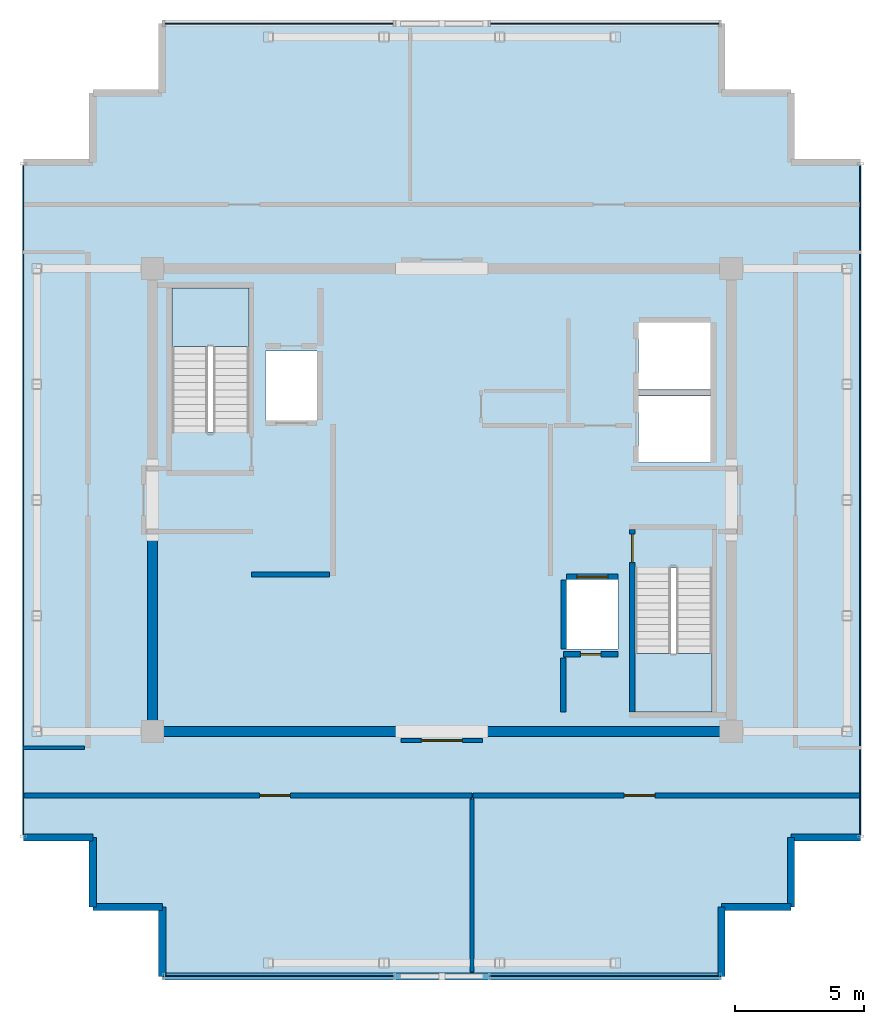
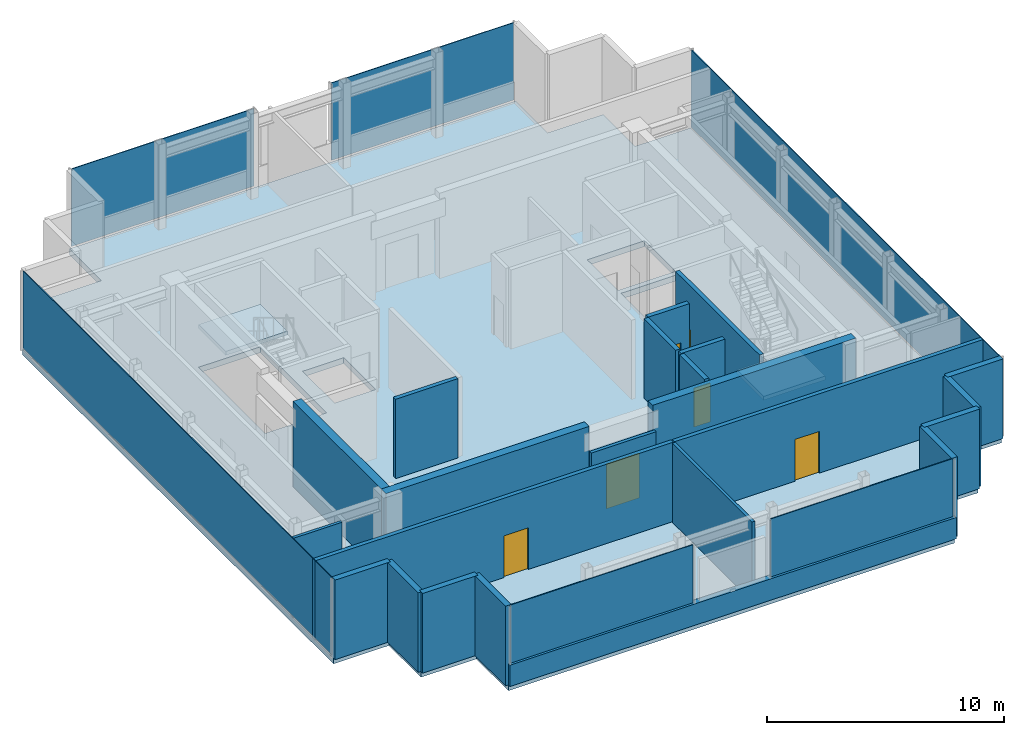
# One storey, part 11 of 14: 23 walls, 6 doors, 6 plates, 3 slabs, 6 openings, 8 elements without a shape of their own.
"""IFC4 building model written with IfcOpenShell, lengths in metres."""

from ifc_helpers import new_model, si_unit, direction, frame, frame_2d, origin, origin_2d, place, context, subcontext, project, spatial, polyline, rectangle, outline, extrude, source, transform, mapped, material, layer, layer_set, type_object, element, fill, aggregate, save


model = new_model("IFC4")

# Units and contexts
model_context = context("Model", 3, precision=1e-05, world=origin(), true_north=direction((0.0, 1.0)))
body_context = subcontext(model_context, "Body", "Model", "MODEL_VIEW")
ifc_project = project(units=[si_unit("LENGTHUNIT", "METRE"), si_unit("AREAUNIT", "SQUARE_METRE"), si_unit("VOLUMEUNIT", "CUBIC_METRE"), si_unit("PLANEANGLEUNIT", "RADIAN"), si_unit("MASSUNIT", "GRAM", prefix="KILO")], contexts=[model_context])

# Site, building, storey
site_placement = place(None, origin())
site = spatial("IfcSite", under=ifc_project, at=site_placement, CompositionType="ELEMENT")
building_placement = place(site_placement, origin())
building = spatial("IfcBuilding", under=site, at=building_placement, Name="Nefas-Gora Pilgrimage Tower", CompositionType="ELEMENT")
storey_placement = place(building_placement, frame((0.0, 0.0, 363.0)))
storey = spatial("IfcBuildingStorey", under=building, at=storey_placement, Name="L91", CompositionType="ELEMENT", Elevation=363.0)

# Slab
ifc_material_1 = material(Name="Concrete C45/55", Category="concrete")
ifc_layer_1 = layer(ifc_material_1, 0.300048828125)
ifc_layer_set_1 = layer_set([ifc_layer_1], Name="Concrete C45/55")
slab_type_1 = type_object("IfcSlabType", Name="SLB-SPEC-300", PredefinedType="FLOOR", material=ifc_layer_set_1)
slab_1_placement = place(storey_placement, frame((0.0, 0.0, -0.300048828125)))
element("IfcSlab", 1, at=slab_1_placement, inside=storey, type_object=slab_type_1, Name="L91 Structural Floor Slab", PredefinedType="FLOOR", context=body_context, shape_type="SweptSolid", body=[
    extrude(outline(polyline([(16.27001953125, 13.1201171875), (13.570068359375, 13.1201171875), (13.570068359375, 15.820068359375), (10.8701171875, 15.820068359375), (10.8701171875, 18.52001953125), (-10.8701171875, 18.52001953125), (-10.8701171875, 15.820068359375), (-13.570068359375, 15.820068359375), (-13.570068359375, 13.1201171875), (-16.27001953125, 13.1201171875), (-16.27001953125, -13.1201171875), (-13.570068359375, -13.1201171875), (-13.570068359375, -15.820068359375), (-10.8701171875, -15.820068359375), (-10.8701171875, -18.52001953125), (10.8701171875, -18.52001953125), (10.8701171875, -15.820068359375), (13.570068359375, -15.820068359375), (13.570068359375, -13.1201171875), (16.27001953125, -13.1201171875), (16.27001953125, 13.1201171875)]), holes=[polyline([(-10.5, 2.639892578125), (-10.5, 8.25), (-7.5, 8.25), (-7.5, 2.639892578125), (-10.5, 2.639892578125)]), polyline([(10.5, -2.639892578125), (10.5, -8.25), (7.5, -8.25), (7.5, -2.639892578125), (10.5, -2.639892578125)]), polyline([(-6.85009765625, 5.800048828125), (-4.85009765625, 5.800048828125), (-4.85009765625, 3.10009765625), (-6.85009765625, 3.10009765625), (-6.85009765625, 5.800048828125)]), polyline([(4.85009765625, -3.10009765625), (6.85009765625, -3.10009765625), (6.85009765625, -5.800048828125), (4.85009765625, -5.800048828125), (4.85009765625, -3.10009765625)]), polyline([(7.64990234375, 4.050048828125), (10.449951171875, 4.050048828125), (10.449951171875, 1.449951171875), (7.64990234375, 1.449951171875), (7.64990234375, 4.050048828125)]), polyline([(7.64990234375, 6.89990234375), (10.449951171875, 6.89990234375), (10.449951171875, 4.300048828125), (7.64990234375, 4.300048828125), (7.64990234375, 6.89990234375)])]), origin(), (0.0, 0.0, 1.0), 0.300048828125),
])

# Stair, slab
stair_type = type_object("IfcStairType", Name="STR-1400-R1692", PredefinedType="HALF_TURN_STAIR", material=ifc_material_1)
stair_1_placement = place(storey_placement, origin())
stair_1 = element("IfcStair", 2, at=stair_1_placement, inside=storey, type_object=stair_type, Name="L91 Pressurised Tower Exit Stair ST-01", PredefinedType="HALF_TURN_STAIR")
ifc_material_2 = material(Name="Concrete C40/50", Category="concrete")
ifc_layer_2 = layer(ifc_material_2, 0.199951171875)
ifc_layer_set_2 = layer_set([ifc_layer_2], Name="Concrete C40/50")
slab_type_2 = type_object("IfcSlabType", Name="STR-LAND-200", PredefinedType="LANDING", material=ifc_layer_set_2)
slab_2_placement = place(storey_placement, frame((0.0, 0.0, 2.0)))
slab_2 = element("IfcSlab", 3, at=slab_2_placement, type_object=slab_type_2, Name="ST-01 landing 1", PredefinedType="LANDING", context=body_context, shape_type="SweptSolid", body=[
    extrude(outline(polyline([(-7.5, 5.9599609375), (-7.5, 8.25), (-10.5, 8.25), (-10.5, 5.9599609375), (-7.5, 5.9599609375)])), origin(), (0.0, 0.0, 1.0), 0.199951171875),
])
aggregate(stair_1, [slab_2])

stair_2_placement = place(storey_placement, origin())
stair_2 = element("IfcStair", 4, at=stair_2_placement, inside=storey, type_object=stair_type, Name="L91 Pressurised Tower Exit Stair ST-02", PredefinedType="HALF_TURN_STAIR")
slab_3_placement = place(storey_placement, frame((0.0, 0.0, 2.0)))
slab_3 = element("IfcSlab", 5, at=slab_3_placement, type_object=slab_type_2, Name="ST-02 landing 1", PredefinedType="LANDING", context=body_context, shape_type="SweptSolid", body=[
    extrude(outline(polyline([(7.5, -5.9599609375), (7.5, -8.25), (10.5, -8.25), (10.5, -5.9599609375), (7.5, -5.9599609375)])), origin(), (0.0, 0.0, 1.0), 0.199951171875),
])
aggregate(stair_2, [slab_3])

# Curtain wall, plate
ifc_material_3 = material(Name="Dark ceramic-fritted solar-control aluminium-glass curtain wall", Category="aluminium")
ifc_layer_3 = layer(ifc_material_3, 0.219970703125)
ifc_layer_set_3 = layer_set([ifc_layer_3], Name="Dark ceramic-fritted solar-control aluminium-glass curtain wall")
curtain_wall_type = type_object("IfcCurtainWallType", Name="CW-SYS-6", PredefinedType="NOTDEFINED", material=ifc_layer_set_3)
curtain_wall_1_placement = place(storey_placement, origin())
curtain_wall_1 = element("IfcCurtainWall", 6, at=curtain_wall_1_placement, inside=storey, type_object=curtain_wall_type, Name="L91 Unitised Curtain Wall CW6", PredefinedType="NOTDEFINED")
ifc_material_4 = material(Name="Dark ceramic-printed low-e insulated glass", Category="glass")
ifc_layer_4 = layer(ifc_material_4, 0.0400390625)
ifc_layer_set_4 = layer_set([ifc_layer_4], Name="Dark ceramic-printed low-e insulated glass")
plate_type = type_object("IfcPlateType", Name="CWP-PNL-6", PredefinedType="CURTAIN_PANEL", material=ifc_layer_set_4)
shared_shape_1 = source(origin(), body_context, "Body", "SweptSolid", [
    extrude(rectangle(XDim=8.889892578125, YDim=0.0400390625, at=origin_2d()), origin(), (0.0, 0.0, 1.0), 3.989990234375),
])
plate_1_placement = place(storey_placement, frame((6.3349609375, 18.52001953125, 0.10009765625), z_axis=(0.0, 0.0, 1.0), x_axis=(-1.0, 0.0, 0.0)))
plate_1 = element("IfcPlate", 7, at=plate_1_placement, type_object=plate_type, Name="CW6 Ceramic-Fritted Glazing Panel 1", PredefinedType="CURTAIN_PANEL", context=body_context, shape_type="MappedRepresentation", body=[
    mapped(shared_shape_1, transform((0.0, 0.0, 0.0), x_axis=(1.0, 0.0, 0.0), y_axis=(0.0, 1.0, 0.0), z_axis=(0.0, 0.0, 1.0), scale=1.0)),
])
aggregate(curtain_wall_1, [plate_1])

curtain_wall_2_placement = place(storey_placement, origin())
curtain_wall_2 = element("IfcCurtainWall", 8, at=curtain_wall_2_placement, inside=storey, type_object=curtain_wall_type, Name="L91 Unitised Curtain Wall CW6", PredefinedType="NOTDEFINED")
plate_2_placement = place(storey_placement, frame((-6.3349609375, 18.52001953125, 0.10009765625), z_axis=(0.0, 0.0, 1.0), x_axis=(-1.0, 0.0, 0.0)))
plate_2 = element("IfcPlate", 9, at=plate_2_placement, type_object=plate_type, Name="CW6 Ceramic-Fritted Glazing Panel 1", PredefinedType="CURTAIN_PANEL", context=body_context, shape_type="MappedRepresentation", body=[
    mapped(shared_shape_1, transform((0.0, 0.0, 0.0), x_axis=(1.0, 0.0, 0.0), y_axis=(0.0, 1.0, 0.0), z_axis=(0.0, 0.0, 1.0), scale=1.0)),
])
aggregate(curtain_wall_2, [plate_2])

curtain_wall_3_placement = place(storey_placement, origin())
curtain_wall_3 = element("IfcCurtainWall", 10, at=curtain_wall_3_placement, inside=storey, type_object=curtain_wall_type, Name="L91 Unitised Curtain Wall CW6", PredefinedType="NOTDEFINED")
plate_3_placement = place(storey_placement, frame((-6.3349609375, -18.52001953125, 0.10009765625), z_axis=(0.0, 0.0, 1.0), x_axis=(1.0, 0.0, 0.0)))
plate_3 = element("IfcPlate", 11, at=plate_3_placement, type_object=plate_type, Name="CW6 Ceramic-Fritted Glazing Panel 1", PredefinedType="CURTAIN_PANEL", context=body_context, shape_type="MappedRepresentation", body=[
    mapped(shared_shape_1, transform((0.0, 0.0, 0.0), x_axis=(1.0, 0.0, 0.0), y_axis=(0.0, 1.0, 0.0), z_axis=(0.0, 0.0, 1.0), scale=1.0)),
])
aggregate(curtain_wall_3, [plate_3])

curtain_wall_4_placement = place(storey_placement, origin())
curtain_wall_4 = element("IfcCurtainWall", 12, at=curtain_wall_4_placement, inside=storey, type_object=curtain_wall_type, Name="L91 Unitised Curtain Wall CW6", PredefinedType="NOTDEFINED")
plate_4_placement = place(storey_placement, frame((6.3349609375, -18.52001953125, 0.10009765625), z_axis=(0.0, 0.0, 1.0), x_axis=(1.0, 0.0, 0.0)))
plate_4 = element("IfcPlate", 13, at=plate_4_placement, type_object=plate_type, Name="CW6 Ceramic-Fritted Glazing Panel 1", PredefinedType="CURTAIN_PANEL", context=body_context, shape_type="MappedRepresentation", body=[
    mapped(shared_shape_1, transform((0.0, 0.0, 0.0), x_axis=(1.0, 0.0, 0.0), y_axis=(0.0, 1.0, 0.0), z_axis=(0.0, 0.0, 1.0), scale=1.0)),
])
aggregate(curtain_wall_4, [plate_4])

curtain_wall_5_placement = place(storey_placement, origin())
curtain_wall_5 = element("IfcCurtainWall", 14, at=curtain_wall_5_placement, inside=storey, type_object=curtain_wall_type, Name="L91 Unitised Curtain Wall CW6", PredefinedType="NOTDEFINED")
shared_shape_2 = source(origin(), body_context, "Body", "SweptSolid", [
    extrude(rectangle(XDim=26.06005859375, YDim=0.0400390625, at=origin_2d()), origin(), (0.0, 0.0, 1.0), 3.989990234375),
])
plate_5_placement = place(storey_placement, frame((-16.27001953125, 0.0, 0.10009765625), z_axis=(0.0, 0.0, 1.0), x_axis=(0.0, -1.0, 0.0)))
plate_5 = element("IfcPlate", 15, at=plate_5_placement, type_object=plate_type, Name="CW6 Ceramic-Fritted Glazing Panel 1", PredefinedType="CURTAIN_PANEL", context=body_context, shape_type="MappedRepresentation", body=[
    mapped(shared_shape_2, transform((0.0, 0.0, 0.0), x_axis=(1.0, 0.0, 0.0), y_axis=(0.0, 1.0, 0.0), z_axis=(0.0, 0.0, 1.0), scale=1.0)),
])
aggregate(curtain_wall_5, [plate_5])

curtain_wall_6_placement = place(storey_placement, origin())
curtain_wall_6 = element("IfcCurtainWall", 16, at=curtain_wall_6_placement, inside=storey, type_object=curtain_wall_type, Name="L91 Unitised Curtain Wall CW6", PredefinedType="NOTDEFINED")
plate_6_placement = place(storey_placement, frame((16.27001953125, 0.0, 0.10009765625), z_axis=(0.0, 0.0, 1.0), x_axis=(0.0, 1.0, 0.0)))
plate_6 = element("IfcPlate", 17, at=plate_6_placement, type_object=plate_type, Name="CW6 Ceramic-Fritted Glazing Panel 1", PredefinedType="CURTAIN_PANEL", context=body_context, shape_type="MappedRepresentation", body=[
    mapped(shared_shape_2, transform((0.0, 0.0, 0.0), x_axis=(1.0, 0.0, 0.0), y_axis=(0.0, 1.0, 0.0), z_axis=(0.0, 0.0, 1.0), scale=1.0)),
])
aggregate(curtain_wall_6, [plate_6])

# Walls
ifc_material_5 = material(Name="Concrete C50/60", Category="concrete")
ifc_layer_5 = layer(ifc_material_5, 0.39990234375)
ifc_layer_set_5 = layer_set([ifc_layer_5], Name="Concrete C50/60")
wall_type_1 = type_object("IfcWallType", Name="SW-CORE-400", PredefinedType="SHEAR", material=ifc_layer_set_5)
shared_shape_3 = source(origin(), body_context, "Body", "SweptSolid", [
    extrude(rectangle(XDim=9.89990234375, YDim=0.39990234375, at=frame_2d((4.949951171875, 0.0))), origin(), (0.0, 0.0, 1.0), 4.39990234375),
])
for number, where, z_axis, x_axis, name in (
    (18, (-11.449951171875, -9.0, 0.0), (0.0, 0.0, 1.0), (1.0, 0.0, 0.0), "L91 Core Shear Wall S-West"),
    (19, (1.550048828125, -9.0, 0.0), (0.0, 0.0, 1.0), (1.0, 0.0, 0.0), "L91 Core Shear Wall S-East"),
):
    element("IfcWall", number, at=place(storey_placement, frame(where, z_axis=z_axis, x_axis=x_axis)), inside=storey, type_object=wall_type_1, Name=name, PredefinedType="SHEAR", context=body_context, shape_type="MappedRepresentation", body=[
        mapped(shared_shape_3, transform((0.0, 0.0, 0.0), x_axis=(1.0, 0.0, 0.0), y_axis=(0.0, 1.0, 0.0), z_axis=(0.0, 0.0, 1.0), scale=1.0)),
    ])
shared_shape_4 = source(origin(), body_context, "Body", "SweptSolid", [
    extrude(rectangle(XDim=7.449951171875, YDim=0.39990234375, at=frame_2d((3.72509765625, 0.0))), origin(), (0.0, 0.0, 1.0), 4.39990234375),
])
wall_1_placement = place(storey_placement, frame((-11.25, -8.800048828125, 0.0), z_axis=(0.0, 0.0, 1.0), x_axis=(0.0, 1.0, 0.0)))
element("IfcWall", 20, at=wall_1_placement, inside=storey, type_object=wall_type_1, Name="L91 Core Shear Wall W-South", PredefinedType="SHEAR", context=body_context, shape_type="MappedRepresentation", body=[
    mapped(shared_shape_4, transform((0.0, 0.0, 0.0), x_axis=(1.0, 0.0, 0.0), y_axis=(0.0, 1.0, 0.0), z_axis=(0.0, 0.0, 1.0), scale=1.0)),
])
ifc_material_6 = material(Name="Precast concrete C45/55", Category="concrete")
ifc_layer_6 = layer(ifc_material_6, 0.280029296875)
ifc_layer_set_6 = layer_set([ifc_layer_6], Name="Precast concrete C45/55")
wall_type_2 = type_object("IfcWallType", Name="EW-PLANT-280", PredefinedType="SOLIDWALL", material=ifc_layer_set_6)
shared_shape_5 = source(origin(), body_context, "Body", "SweptSolid", [
    extrude(rectangle(XDim=2.699951171875, YDim=0.280029296875, at=frame_2d((1.35009765625, 0.0))), origin(), (0.0, 0.0, 1.0), 4.10009765625),
])
for number, where, z_axis, x_axis, name in (
    (21, (-16.27001953125, -13.1201171875, 0.0), (0.0, 0.0, 1.0), (1.0, 0.0, 0.0), "L91 Serrated Corner Shear Pier Wall 10"),
    (22, (-13.570068359375, -13.1201171875, 0.0), (0.0, 0.0, 1.0), (0.0, -1.0, 0.0), "L91 Serrated Corner Shear Pier Wall 11"),
    (23, (-13.570068359375, -15.820068359375, 0.0), (0.0, 0.0, 1.0), (1.0, 0.0, 0.0), "L91 Serrated Corner Shear Pier Wall 12"),
    (24, (-10.8701171875, -15.820068359375, 0.0), (0.0, 0.0, 1.0), (0.0, -1.0, 0.0), "L91 Serrated Corner Shear Pier Wall 13"),
    (25, (10.8701171875, -18.52001953125, 0.0), (0.0, 0.0, 1.0), (0.0, 1.0, 0.0), "L91 Serrated Corner Shear Pier Wall 15"),
    (26, (10.8701171875, -15.820068359375, 0.0), (0.0, 0.0, 1.0), (1.0, 0.0, 0.0), "L91 Serrated Corner Shear Pier Wall 16"),
    (27, (13.570068359375, -15.820068359375, 0.0), (0.0, 0.0, 1.0), (0.0, 1.0, 0.0), "L91 Serrated Corner Shear Pier Wall 17"),
    (28, (13.570068359375, -13.1201171875, 0.0), (0.0, 0.0, 1.0), (1.0, 0.0, 0.0), "L91 Serrated Corner Shear Pier Wall 18"),
):
    element("IfcWall", number, at=place(storey_placement, frame(where, z_axis=z_axis, x_axis=x_axis)), inside=storey, type_object=wall_type_2, Name=name, PredefinedType="SOLIDWALL", context=body_context, shape_type="MappedRepresentation", body=[
        mapped(shared_shape_5, transform((0.0, 0.0, 0.0), x_axis=(1.0, 0.0, 0.0), y_axis=(0.0, 1.0, 0.0), z_axis=(0.0, 0.0, 1.0), scale=1.0)),
    ])
shared_shape_6 = source(origin(), body_context, "Body", "SweptSolid", [
    extrude(rectangle(XDim=21.740234375, YDim=0.280029296875, at=frame_2d((10.8701171875, 0.0))), origin(), (0.0, 0.0, 1.0), 1.10009765625),
])
wall_2_placement = place(storey_placement, frame((-10.8701171875, -18.52001953125, 0.0), z_axis=(0.0, 0.0, 1.0), x_axis=(1.0, 0.0, 0.0)))
element("IfcWall", 29, at=wall_2_placement, inside=storey, type_object=wall_type_2, Name="L91 Plant Upstand Spandrel Wall 14", PredefinedType="SOLIDWALL", context=body_context, shape_type="MappedRepresentation", body=[
    mapped(shared_shape_6, transform((0.0, 0.0, 0.0), x_axis=(1.0, 0.0, 0.0), y_axis=(0.0, 1.0, 0.0), z_axis=(0.0, 0.0, 1.0), scale=1.0)),
])

# Wall, opening, door
ifc_layer_7 = layer(ifc_material_1, 0.199951171875)
ifc_layer_set_7 = layer_set([ifc_layer_7], Name="Concrete C45/55")
wall_type_3 = type_object("IfcWallType", Name="IW-STAIR-200", PredefinedType="SOLIDWALL", material=ifc_layer_set_7)
shared_shape_7 = source(origin(), body_context, "Body", "SweptSolid", [
    extrude(rectangle(XDim=7.10009765625, YDim=0.199951171875, at=frame_2d((3.550048828125, 0.0))), origin(), (0.0, 0.0, 1.0), 4.39990234375),
])
wall_3_placement = place(storey_placement, frame((7.39990234375, -1.14990234375, 0.0), z_axis=(0.0, 0.0, 1.0), x_axis=(0.0, -1.0, 0.0)))
wall_3 = element("IfcWall", 30, at=wall_3_placement, inside=storey, type_object=wall_type_3, Name="L91 Stairwell Shear Wall ST-02-left", PredefinedType="SOLIDWALL", context=body_context, shape_type="MappedRepresentation", body=[
    mapped(shared_shape_7, transform((0.0, 0.0, 0.0), x_axis=(1.0, 0.0, 0.0), y_axis=(0.0, 1.0, 0.0), z_axis=(0.0, 0.0, 1.0), scale=1.0)),
])
opening_1_placement = place(wall_3_placement, frame((0.179931640625, 0.0, 0.0)))
opening_1 = element("IfcOpeningElement", 31, at=opening_1_placement, cuts=wall_3, Name="Opening ID-ST1", PredefinedType="OPENING", context=body_context, shape_type="SweptSolid", body=[
    extrude(rectangle(XDim=1.10009765625, YDim=2.14990234375, at=frame_2d((0.550048828125, 1.074951171875))), frame((0.0, 0.10986328125, 0.0), z_axis=(0.0, -1.0, 0.0), x_axis=(1.0, 0.0, 0.0)), (0.0, 0.0, 1.0), 0.219970703125),
])
ifc_material_7 = material(Name="Painted galvanised steel fire stair door", Category="steel")
door_type_1 = type_object("IfcDoorType", Name="DR-INT-STAIR-1100", OperationType="NOTDEFINED", PredefinedType="DOOR", material=ifc_material_7)
shared_shape_8 = source(origin(), body_context, "Body", "SweptSolid", [
    extrude(rectangle(XDim=1.10009765625, YDim=2.14990234375, at=frame_2d((0.550048828125, 1.074951171875))), frame((0.0, 0.02490234375, 0.0), z_axis=(0.0, -1.0, 0.0), x_axis=(1.0, 0.0, 0.0)), (0.0, 0.0, 1.0), 0.050048828125),
])
door_1_placement = place(opening_1_placement, origin())
door_1 = element("IfcDoor", 32, at=door_1_placement, inside=storey, type_object=door_type_1, Name="L91 Protected Exit Stair Door ST-02", OperationType="SINGLE_SWING_RIGHT", OverallHeight=2.14990234375, OverallWidth=1.10009765625, PredefinedType="DOOR", context=body_context, shape_type="MappedRepresentation", body=[
    mapped(shared_shape_8, transform((0.0, 0.0, 0.0), x_axis=(1.0, 0.0, 0.0), y_axis=(0.0, 1.0, 0.0), z_axis=(0.0, 0.0, 1.0), scale=1.0)),
])
fill(opening_1, door_1)

ifc_layer_8 = layer(ifc_material_2, 0.219970703125)
ifc_layer_set_8 = layer_set([ifc_layer_8], Name="Concrete C40/50")
wall_type_4 = type_object("IfcWallType", Name="IW-SHAFT-220", PredefinedType="SOLIDWALL", material=ifc_layer_set_8)
shared_shape_9 = source(origin(), body_context, "Body", "SweptSolid", [
    extrude(rectangle(XDim=2.0, YDim=0.219970703125, at=frame_2d((1.0, 0.0))), origin(), (0.0, 0.0, 1.0), 4.0849609375),
])
wall_4_placement = place(storey_placement, frame((6.85009765625, -2.989990234375, 0.0), z_axis=(0.0, 0.0, 1.0), x_axis=(-1.0, 0.0, 0.0)))
wall_4 = element("IfcWall", 33, at=wall_4_placement, inside=storey, type_object=wall_type_4, Name="L91 Hoistway Wall FFL-02-N", PredefinedType="SOLIDWALL", context=body_context, shape_type="MappedRepresentation", body=[
    mapped(shared_shape_9, transform((0.0, 0.0, 0.0), x_axis=(1.0, 0.0, 0.0), y_axis=(0.0, 1.0, 0.0), z_axis=(0.0, 0.0, 1.0), scale=1.0)),
])
opening_2_placement = place(wall_4_placement, frame((0.39990234375, 0.0, 0.0)))
opening_2 = element("IfcOpeningElement", 34, at=opening_2_placement, cuts=wall_4, Name="Opening LD-FF", PredefinedType="OPENING", context=body_context, shape_type="SweptSolid", body=[
    extrude(rectangle(XDim=1.199951171875, YDim=2.199951171875, at=frame_2d((0.60009765625, 1.10009765625))), frame((0.0, 0.119873046875, 0.0), z_axis=(0.0, -1.0, 0.0), x_axis=(1.0, 0.0, 0.0)), (0.0, 0.0, 1.0), 0.239990234375),
])
ifc_material_8 = material(Name="Fire-service sliding lift landing door")
door_type_2 = type_object("IfcDoorType", Name="DR-LIFT-FSAE-1200", OperationType="SLIDING_TO_LEFT", PredefinedType="DOOR", material=ifc_material_8)
shared_shape_10 = source(origin(), body_context, "Body", "SweptSolid", [
    extrude(rectangle(XDim=1.199951171875, YDim=2.199951171875, at=frame_2d((0.60009765625, 1.10009765625))), frame((0.0, 0.02490234375, 0.0), z_axis=(0.0, -1.0, 0.0), x_axis=(1.0, 0.0, 0.0)), (0.0, 0.0, 1.0), 0.050048828125),
])
door_2_placement = place(opening_2_placement, origin())
door_2 = element("IfcDoor", 35, at=door_2_placement, inside=storey, type_object=door_type_2, Name="L91 Sliding Lift Landing Door FFL-02", OperationType="SLIDING_TO_LEFT", OverallHeight=2.199951171875, OverallWidth=1.199951171875, PredefinedType="DOOR", context=body_context, shape_type="MappedRepresentation", body=[
    mapped(shared_shape_10, transform((0.0, 0.0, 0.0), x_axis=(1.0, 0.0, 0.0), y_axis=(0.0, 1.0, 0.0), z_axis=(0.0, 0.0, 1.0), scale=1.0)),
])
fill(opening_2, door_2)

# Wall
shared_shape_11 = source(origin(), body_context, "Body", "SweptSolid", [
    extrude(rectangle(XDim=2.679931640625, YDim=0.219970703125, at=frame_2d((1.33984375, 0.0))), origin(), (0.0, 0.0, 1.0), 4.0849609375),
])
wall_5_placement = place(storey_placement, frame((4.739990234375, -3.110107421875, 0.0), z_axis=(0.0, 0.0, 1.0), x_axis=(0.0, -1.0, 0.0)))
element("IfcWall", 36, at=wall_5_placement, inside=storey, type_object=wall_type_4, Name="L91 Hoistway Wall FFL-02-W", PredefinedType="SOLIDWALL", context=body_context, shape_type="MappedRepresentation", body=[
    mapped(shared_shape_11, transform((0.0, 0.0, 0.0), x_axis=(1.0, 0.0, 0.0), y_axis=(0.0, 1.0, 0.0), z_axis=(0.0, 0.0, 1.0), scale=1.0)),
])

# Wall, opening, door
shared_shape_12 = source(origin(), body_context, "Body", "SweptSolid", [
    extrude(rectangle(XDim=2.130126953125, YDim=0.219970703125, at=frame_2d((1.06494140625, 0.0))), origin(), (0.0, 0.0, 1.0), 4.0849609375),
])
wall_6_placement = place(storey_placement, frame((4.719970703125, -6.0, 0.0), z_axis=(0.0, 0.0, 1.0), x_axis=(1.0, 0.0, 0.0)))
wall_6 = element("IfcWall", 37, at=wall_6_placement, inside=storey, type_object=wall_type_4, Name="L91 Riser Shaft Wall 3", PredefinedType="SOLIDWALL", context=body_context, shape_type="MappedRepresentation", body=[
    mapped(shared_shape_12, transform((0.0, 0.0, 0.0), x_axis=(1.0, 0.0, 0.0), y_axis=(0.0, 1.0, 0.0), z_axis=(0.0, 0.0, 1.0), scale=1.0)),
])
opening_3_placement = place(wall_6_placement, frame((0.6650390625, 0.0, 0.0)))
opening_3 = element("IfcOpeningElement", 38, at=opening_3_placement, cuts=wall_6, Name="Opening ID-TR1", PredefinedType="OPENING", context=body_context, shape_type="SweptSolid", body=[
    extrude(rectangle(XDim=0.800048828125, YDim=2.0, at=frame_2d((0.39990234375, 1.0))), frame((0.0, 0.119873046875, 0.0), z_axis=(0.0, -1.0, 0.0), x_axis=(1.0, 0.0, 0.0)), (0.0, 0.0, 1.0), 0.239990234375),
])
ifc_material_9 = material(Name="Riser maintenance fire access door")
door_type_3 = type_object("IfcDoorType", Name="DR-INT-TRAP-800", OperationType="NOTDEFINED", PredefinedType="TRAPDOOR", material=ifc_material_9)
shared_shape_13 = source(origin(), body_context, "Body", "SweptSolid", [
    extrude(rectangle(XDim=0.800048828125, YDim=2.0, at=frame_2d((0.39990234375, 1.0))), frame((0.0, 0.02490234375, 0.0), z_axis=(0.0, -1.0, 0.0), x_axis=(1.0, 0.0, 0.0)), (0.0, 0.0, 1.0), 0.050048828125),
])
door_3_placement = place(opening_3_placement, origin())
door_3 = element("IfcDoor", 39, at=door_3_placement, inside=storey, type_object=door_type_3, Name="L91 Riser Shaft Door 2", OperationType="SINGLE_SWING_RIGHT", OverallHeight=2.0, OverallWidth=0.800048828125, PredefinedType="TRAPDOOR", context=body_context, shape_type="MappedRepresentation", body=[
    mapped(shared_shape_13, transform((0.0, 0.0, 0.0), x_axis=(1.0, 0.0, 0.0), y_axis=(0.0, 1.0, 0.0), z_axis=(0.0, 0.0, 1.0), scale=1.0)),
])
fill(opening_3, door_3)

# Walls
shared_shape_14 = source(origin(), body_context, "Body", "SweptSolid", [
    extrude(rectangle(XDim=2.10009765625, YDim=0.219970703125, at=frame_2d((1.050048828125, 0.0))), origin(), (0.0, 0.0, 1.0), 4.0849609375),
])
wall_7_placement = place(storey_placement, frame((4.719970703125, -8.25, 0.0), z_axis=(0.0, 0.0, 1.0), x_axis=(0.0, 1.0, 0.0)))
element("IfcWall", 40, at=wall_7_placement, inside=storey, type_object=wall_type_4, Name="L91 Riser Shaft Wall 4", PredefinedType="SOLIDWALL", context=body_context, shape_type="MappedRepresentation", body=[
    mapped(shared_shape_14, transform((0.0, 0.0, 0.0), x_axis=(1.0, 0.0, 0.0), y_axis=(0.0, 1.0, 0.0), z_axis=(0.0, 0.0, 1.0), scale=1.0)),
])
ifc_material_10 = material(Name="Gypsum fire-rated shaftwall")
ifc_layer_9 = layer(ifc_material_10, 0.199951171875)
ifc_layer_set_9 = layer_set([ifc_layer_9], Name="Gypsum fire-rated shaftwall")
wall_type_5 = type_object("IfcWallType", Name="IW-FFLOB-200", PredefinedType="PARTITIONING", material=ifc_layer_set_9)
shared_shape_15 = source(origin(), body_context, "Body", "SweptSolid", [
    extrude(rectangle(XDim=3.039794921875, YDim=0.199951171875, at=frame_2d((1.52001953125, 0.0))), origin(), (0.0, 0.0, 1.0), 4.0849609375),
])
wall_8_placement = place(storey_placement, frame((-7.39990234375, -2.89990234375, 0.0), z_axis=(0.0, 0.0, 1.0), x_axis=(1.0, 0.0, 0.0)))
element("IfcWall", 41, at=wall_8_placement, inside=storey, type_object=wall_type_5, Name="L91 FF Lobby West South Wall Wall 7", PredefinedType="PARTITIONING", context=body_context, shape_type="MappedRepresentation", body=[
    mapped(shared_shape_15, transform((0.0, 0.0, 0.0), x_axis=(1.0, 0.0, 0.0), y_axis=(0.0, 1.0, 0.0), z_axis=(0.0, 0.0, 1.0), scale=1.0)),
])
ifc_material_11 = material(Name="Gypsum twin-stud partition")
ifc_layer_10 = layer(ifc_material_11, 0.139892578125)
ifc_layer_set_10 = layer_set([ifc_layer_10], Name="Gypsum twin-stud partition")
wall_type_6 = type_object("IfcWallType", Name="IW-UNIT-140", PredefinedType="PARTITIONING", material=ifc_layer_set_10)
shared_shape_16 = source(origin(), body_context, "Body", "SweptSolid", [
    extrude(rectangle(XDim=2.400146484375, YDim=0.139892578125, at=frame_2d((1.2001953125, 0.0))), origin(), (0.0, 0.0, 1.0), 4.0849609375),
])
wall_9_placement = place(storey_placement, frame((-16.2900390625, -9.6298828125, 0.0), z_axis=(0.0, 0.0, 1.0), x_axis=(1.0, 0.0, 0.0)))
element("IfcWall", 42, at=wall_9_placement, inside=storey, type_object=wall_type_6, Name="L91 Emergency Power Switchgear Plant Room Partition Wall 22", PredefinedType="PARTITIONING", context=body_context, shape_type="MappedRepresentation", body=[
    mapped(shared_shape_16, transform((0.0, 0.0, 0.0), x_axis=(1.0, 0.0, 0.0), y_axis=(0.0, 1.0, 0.0), z_axis=(0.0, 0.0, 1.0), scale=1.0)),
])
shared_shape_17 = source(origin(), body_context, "Body", "SweptSolid", [
    extrude(rectangle(XDim=6.710205078125, YDim=0.139892578125, at=frame_2d((3.35498046875, 0.0))), origin(), (0.0, 0.0, 1.0), 4.0849609375),
])
wall_10_placement = place(storey_placement, frame((1.169921875, -18.340087890625, 0.0), z_axis=(0.0, 0.0, 1.0), x_axis=(0.0, 1.0, 0.0)))
element("IfcWall", 43, at=wall_10_placement, inside=storey, type_object=wall_type_6, Name="L91 Stair Smoke Pressurisation Fan Plant Room Partition Wall 31", PredefinedType="PARTITIONING", context=body_context, shape_type="MappedRepresentation", body=[
    mapped(shared_shape_17, transform((0.0, 0.0, 0.0), x_axis=(1.0, 0.0, 0.0), y_axis=(0.0, 1.0, 0.0), z_axis=(0.0, 0.0, 1.0), scale=1.0)),
])

# Wall, opening, door
ifc_material_12 = material(Name="Gypsum acoustic stud partition")
ifc_layer_11 = layer(ifc_material_12, 0.159912109375)
ifc_layer_set_11 = layer_set([ifc_layer_11], Name="Gypsum acoustic stud partition")
wall_type_7 = type_object("IfcWallType", Name="IW-CORR-160", PredefinedType="PARTITIONING", material=ifc_layer_set_11)
shared_shape_18 = source(origin(), body_context, "Body", "SweptSolid", [
    extrude(rectangle(XDim=3.16015625, YDim=0.159912109375, at=frame_2d((1.580078125, 0.0))), origin(), (0.0, 0.0, 1.0), 3.175048828125),
])
wall_11_placement = place(storey_placement, frame((-1.580078125, -9.35009765625, 0.0), z_axis=(0.0, 0.0, 1.0), x_axis=(1.0, 0.0, 0.0)))
wall_11 = element("IfcWall", 44, at=wall_11_placement, inside=storey, type_object=wall_type_7, Name="L91 Central Lift Lobby South Portal Wall 17", PredefinedType="PARTITIONING", context=body_context, shape_type="MappedRepresentation", body=[
    mapped(shared_shape_18, transform((0.0, 0.0, 0.0), x_axis=(1.0, 0.0, 0.0), y_axis=(0.0, 1.0, 0.0), z_axis=(0.0, 0.0, 1.0), scale=1.0)),
])
opening_4_placement = place(wall_11_placement, frame((0.780029296875, 0.0, 0.0)))
opening_4 = element("IfcOpeningElement", 45, at=opening_4_placement, cuts=wall_11, Name="Opening ID-HL1", PredefinedType="OPENING", context=body_context, shape_type="SweptSolid", body=[
    extrude(rectangle(XDim=1.60009765625, YDim=2.300048828125, at=frame_2d((0.800048828125, 1.14990234375))), frame((0.0, 0.08984375, 0.0), z_axis=(0.0, -1.0, 0.0), x_axis=(1.0, 0.0, 0.0)), (0.0, 0.0, 1.0), 0.179931640625),
])
ifc_material_13 = material(Name="Double acoustic timber assembly hall door", Category="wood")
door_type_4 = type_object("IfcDoorType", Name="DR-INT-HALL-1600", OperationType="DOUBLE_DOOR_SINGLE_SWING", PredefinedType="DOOR", material=ifc_material_13)
shared_shape_19 = source(origin(), body_context, "Body", "SweptSolid", [
    extrude(rectangle(XDim=1.60009765625, YDim=2.300048828125, at=frame_2d((0.800048828125, 1.14990234375))), frame((0.0, 0.02490234375, 0.0), z_axis=(0.0, -1.0, 0.0), x_axis=(1.0, 0.0, 0.0)), (0.0, 0.0, 1.0), 0.050048828125),
])
door_4_placement = place(opening_4_placement, origin())
door_4 = element("IfcDoor", 46, at=door_4_placement, inside=storey, type_object=door_type_4, Name="L91 Central Lift Lobby South Portal Door 7", OperationType="DOUBLE_DOOR_SINGLE_SWING", OverallHeight=2.300048828125, OverallWidth=1.60009765625, PredefinedType="DOOR", context=body_context, shape_type="MappedRepresentation", body=[
    mapped(shared_shape_19, transform((0.0, 0.0, 0.0), x_axis=(1.0, 0.0, 0.0), y_axis=(0.0, 1.0, 0.0), z_axis=(0.0, 0.0, 1.0), scale=1.0)),
])
fill(opening_4, door_4)

ifc_layer_12 = layer(ifc_material_2, 0.199951171875)
ifc_layer_set_12 = layer_set([ifc_layer_12], Name="Concrete C40/50")
wall_type_8 = type_object("IfcWallType", Name="IW-PLANT-200", PredefinedType="SOLIDWALL", material=ifc_layer_set_12)
shared_shape_20 = source(origin(), body_context, "Body", "SweptSolid", [
    extrude(rectangle(XDim=15.070068359375, YDim=0.199951171875, at=frame_2d((7.53515625, 0.0))), origin(), (0.0, 0.0, 1.0), 4.0849609375),
])
wall_12_placement = place(storey_placement, frame((1.219970703125, -11.489990234375, 0.0), z_axis=(0.0, 0.0, 1.0), x_axis=(1.0, 0.0, 0.0)))
wall_12 = element("IfcWall", 47, at=wall_12_placement, inside=storey, type_object=wall_type_8, Name="L91 Domestic and Fire Reserve Water Tank Plant Room Partition Wall 32", PredefinedType="SOLIDWALL", context=body_context, shape_type="MappedRepresentation", body=[
    mapped(shared_shape_20, transform((0.0, 0.0, 0.0), x_axis=(1.0, 0.0, 0.0), y_axis=(0.0, 1.0, 0.0), z_axis=(0.0, 0.0, 1.0), scale=1.0)),
])
opening_5_placement = place(wall_12_placement, frame((5.868896484375, 0.0, 0.0)))
opening_5 = element("IfcOpeningElement", 48, at=opening_5_placement, cuts=wall_12, Name="Opening ID-PL1", PredefinedType="OPENING", context=body_context, shape_type="SweptSolid", body=[
    extrude(rectangle(XDim=1.199951171875, YDim=2.14990234375, at=frame_2d((0.60009765625, 1.074951171875))), frame((0.0, 0.10986328125, 0.0), z_axis=(0.0, -1.0, 0.0), x_axis=(1.0, 0.0, 0.0)), (0.0, 0.0, 1.0), 0.219970703125),
])
ifc_material_14 = material(Name="Heavy-duty steel plant room fire door", Category="steel")
door_type_5 = type_object("IfcDoorType", Name="DR-INT-PLANT-1200", OperationType="NOTDEFINED", PredefinedType="DOOR", material=ifc_material_14)
shared_shape_21 = source(origin(), body_context, "Body", "SweptSolid", [
    extrude(rectangle(XDim=1.199951171875, YDim=2.14990234375, at=frame_2d((0.60009765625, 1.074951171875))), frame((0.0, 0.02490234375, 0.0), z_axis=(0.0, -1.0, 0.0), x_axis=(1.0, 0.0, 0.0)), (0.0, 0.0, 1.0), 0.050048828125),
])
door_5_placement = place(opening_5_placement, origin())
door_5 = element("IfcDoor", 49, at=door_5_placement, inside=storey, type_object=door_type_5, Name="L91 Domestic and Fire Reserve Water Tank Plant Room Door 14", OperationType="SINGLE_SWING_RIGHT", OverallHeight=2.14990234375, OverallWidth=1.199951171875, PredefinedType="DOOR", context=body_context, shape_type="MappedRepresentation", body=[
    mapped(shared_shape_21, transform((0.0, 0.0, 0.0), x_axis=(1.0, 0.0, 0.0), y_axis=(0.0, 1.0, 0.0), z_axis=(0.0, 0.0, 1.0), scale=1.0)),
])
fill(opening_5, door_5)

shared_shape_22 = source(origin(), body_context, "Body", "SweptSolid", [
    extrude(rectangle(XDim=17.469970703125, YDim=0.199951171875, at=frame_2d((8.73486328125, 0.0))), origin(), (0.0, 0.0, 1.0), 4.0849609375),
])
wall_13_placement = place(storey_placement, frame((-16.2900390625, -11.489990234375, 0.0), z_axis=(0.0, 0.0, 1.0), x_axis=(1.0, 0.0, 0.0)))
wall_13 = element("IfcWall", 50, at=wall_13_placement, inside=storey, type_object=wall_type_8, Name="L91 Stair Smoke Pressurisation Fan Plant Room Partition Wall 30", PredefinedType="SOLIDWALL", context=body_context, shape_type="MappedRepresentation", body=[
    mapped(shared_shape_22, transform((0.0, 0.0, 0.0), x_axis=(1.0, 0.0, 0.0), y_axis=(0.0, 1.0, 0.0), z_axis=(0.0, 0.0, 1.0), scale=1.0)),
])
opening_6_placement = place(wall_13_placement, frame((9.201171875, 0.0, 0.0)))
opening_6 = element("IfcOpeningElement", 51, at=opening_6_placement, cuts=wall_13, Name="Opening ID-PL1", PredefinedType="OPENING", context=body_context, shape_type="SweptSolid", body=[
    extrude(rectangle(XDim=1.199951171875, YDim=2.14990234375, at=frame_2d((0.60009765625, 1.074951171875))), frame((0.0, 0.10986328125, 0.0), z_axis=(0.0, -1.0, 0.0), x_axis=(1.0, 0.0, 0.0)), (0.0, 0.0, 1.0), 0.219970703125),
])
door_6_placement = place(opening_6_placement, origin())
door_6 = element("IfcDoor", 52, at=door_6_placement, inside=storey, type_object=door_type_5, Name="L91 Stair Smoke Pressurisation Fan Plant Room Door 13", OperationType="SINGLE_SWING_LEFT", OverallHeight=2.14990234375, OverallWidth=1.199951171875, PredefinedType="DOOR", context=body_context, shape_type="MappedRepresentation", body=[
    mapped(shared_shape_21, transform((0.0, 0.0, 0.0), x_axis=(1.0, 0.0, 0.0), y_axis=(0.0, 1.0, 0.0), z_axis=(0.0, 0.0, 1.0), scale=1.0)),
])
fill(opening_6, door_6)

save(model, "model.ifc")
